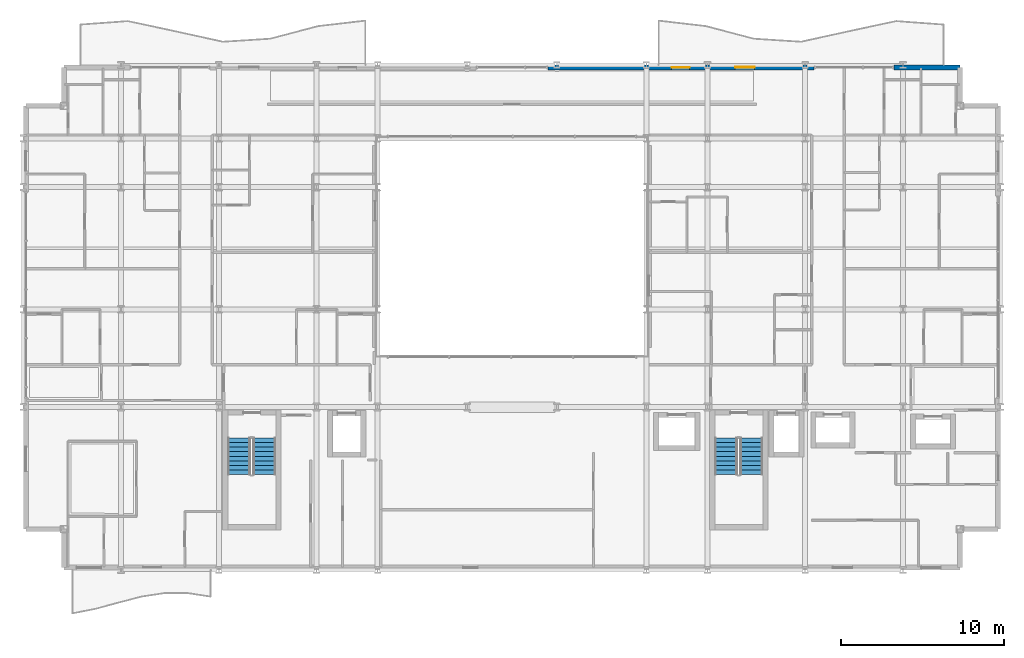
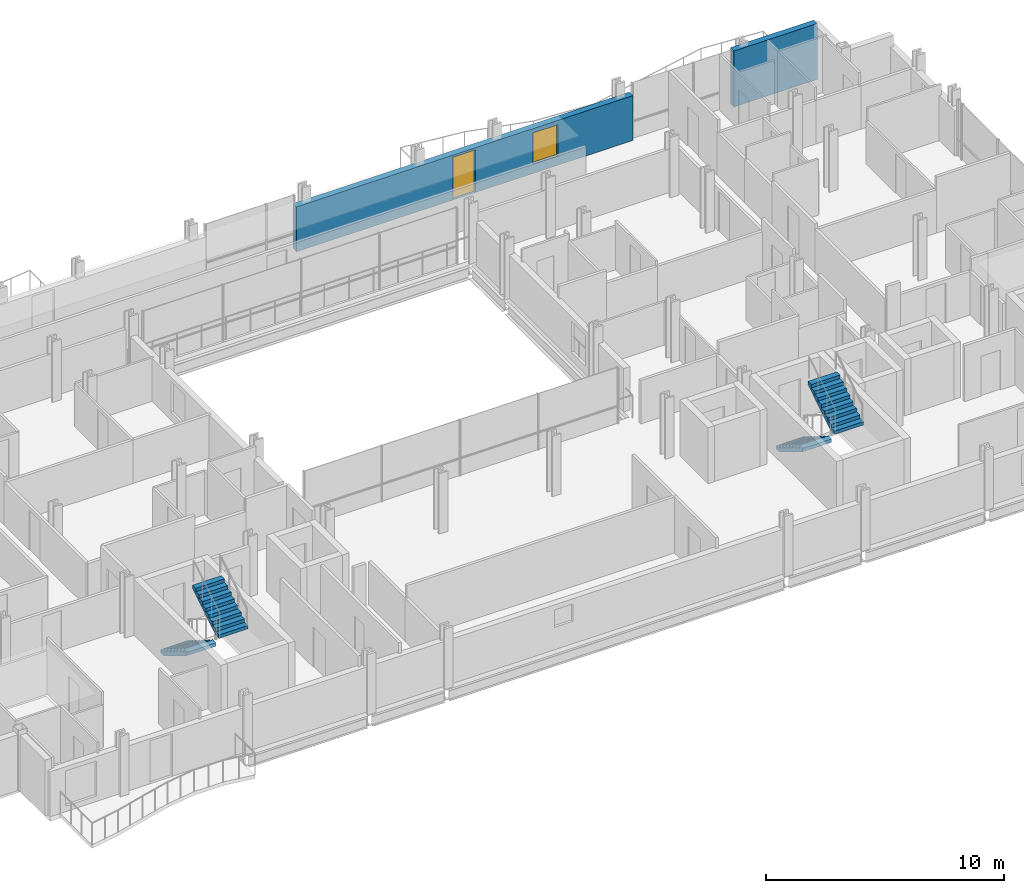
# One storey, part 37 of 41: 4 stair flights, 2 walls, 1 door, 1 window, 2 openings, 2 elements without a shape of their own.
"""IFC4 building model written with IfcOpenShell, lengths in metres."""

from ifc_helpers import new_model, si_unit, direction, frame, frame_2d, origin, place, context, subcontext, project, spatial, polyline, rectangle, outline, extrude, material, layer, layer_set, type_object, element, fill, aggregate, save


model = new_model("IFC4")

# Units and contexts
model_context = context("Model", 3, precision=1e-05, world=origin(), true_north=direction((0.0, 1.0)))
body_context = subcontext(model_context, "Body", "Model", "MODEL_VIEW")
ifc_project = project(units=[si_unit("LENGTHUNIT", "METRE"), si_unit("AREAUNIT", "SQUARE_METRE"), si_unit("VOLUMEUNIT", "CUBIC_METRE"), si_unit("PLANEANGLEUNIT", "RADIAN"), si_unit("MASSUNIT", "GRAM", prefix="KILO")], contexts=[model_context])

# Site, building, storey
site_placement = place(None, origin())
site = spatial("IfcSite", under=ifc_project, at=site_placement, CompositionType="ELEMENT")
building_placement = place(site_placement, origin())
building = spatial("IfcBuilding", under=site, at=building_placement, Name="Brevholm Reach", CompositionType="ELEMENT")
storey_placement = place(building_placement, frame((0.0, 0.0, 49.699951171875)))
storey = spatial("IfcBuildingStorey", under=building, at=storey_placement, Name="L13", CompositionType="ELEMENT", Elevation=49.699951171875)

# Wall
ifc_material_1 = material(Name="Concrete C40/50", Category="concrete")
ifc_layer_1 = layer(ifc_material_1, 0.300048828125)
ifc_layer_set_1 = layer_set([ifc_layer_1], Name="Concrete C40/50")
wall_type = type_object("IfcWallType", Name="WAL-EXT-300", PredefinedType="STANDARD", material=ifc_layer_set_1)
wall_1_placement = place(storey_placement, frame((53.449951171875, 30.85009765625, 0.0), z_axis=(0.0, 0.0, 1.0), x_axis=(1.0, 0.0, 0.0)))
element("IfcWall", 1, at=wall_1_placement, inside=storey, type_object=wall_type, Name="L13 Facade Wall WAL-L13-NP-E0", PredefinedType="STANDARD", context=body_context, shape_type="SweptSolid", body=[
    extrude(rectangle(XDim=4.050048828125, YDim=0.300048828125, at=frame_2d((2.02490234375, 0.0))), origin(), (0.0, 0.0, 1.0), 2.8701171875),
])

# Wall, openings, door, window
wall_2_placement = place(storey_placement, frame((32.199951171875, 30.85009765625, 0.0), z_axis=(0.0, 0.0, 1.0), x_axis=(1.0, 0.0, 0.0)))
wall_2 = element("IfcWall", 2, at=wall_2_placement, inside=storey, type_object=wall_type, Name="L13 Facade Wall WAL-L13-NP-ER", PredefinedType="STANDARD", context=body_context, shape_type="SweptSolid", body=[
    extrude(rectangle(XDim=16.35009765625, YDim=0.300048828125, at=frame_2d((8.175048828125, 0.0))), origin(), (0.0, 0.0, 1.0), 2.3056640625),
])
opening_1_placement = place(wall_2_placement, frame((7.60009765625, 0.0, 0.0)))
opening_1 = element("IfcOpeningElement", 3, at=opening_1_placement, cuts=wall_2, Name="Opening BD-01", PredefinedType="OPENING", context=body_context, shape_type="SweptSolid", body=[
    extrude(rectangle(XDim=1.10009765625, YDim=2.199951171875, at=frame_2d((0.550048828125, 1.10009765625))), frame((0.0, 0.159912109375, 0.0), z_axis=(0.0, -1.0, 0.0), x_axis=(1.0, 0.0, 0.0)), (0.0, 0.0, 1.0), 0.320068359375),
])
opening_2_placement = place(wall_2_placement, frame((11.5, 0.0, 0.485107421875)))
opening_2 = element("IfcOpeningElement", 4, at=opening_2_placement, cuts=wall_2, Name="Opening WN-08", PredefinedType="OPENING", context=body_context, shape_type="SweptSolid", body=[
    extrude(rectangle(XDim=1.199951171875, YDim=1.60009765625, at=frame_2d((0.60009765625, 0.800048828125))), frame((0.0, 0.159912109375, 0.0), z_axis=(0.0, -1.0, 0.0), x_axis=(1.0, 0.0, 0.0)), (0.0, 0.0, 1.0), 0.320068359375),
])
ifc_material_2 = material(Name="Dark Anodised Aluminium and Triple-Glazed Glass", Category="aluminium")
door_type = type_object("IfcDoorType", Name="DOR-BALC-1100", OperationType="NOTDEFINED", PredefinedType="DOOR", material=ifc_material_2)
door_placement = place(opening_1_placement, origin())
door = element("IfcDoor", 5, at=door_placement, inside=storey, type_object=door_type, Name="L13 Exterior Door DOR-L13-BL-NE", OperationType="SINGLE_SWING_LEFT", OverallHeight=2.199951171875, OverallWidth=1.10009765625, PredefinedType="DOOR", context=body_context, shape_type="SweptSolid", body=[
    extrude(rectangle(XDim=1.10009765625, YDim=2.199951171875, at=frame_2d((0.550048828125, 1.10009765625))), frame((0.0, 0.02490234375, 0.0), z_axis=(0.0, -1.0, 0.0), x_axis=(1.0, 0.0, 0.0)), (0.0, 0.0, 1.0), 0.050048828125),
])
fill(opening_1, door)
ifc_material_3 = material(Name="Dark Anodised Aluminium and Solar-Control IGU Glass", Category="aluminium")
window_type = type_object("IfcWindowType", Name="WIN-RES-1200", PartitioningType="SINGLE_PANEL", PredefinedType="WINDOW", material=ifc_material_3)
window_placement = place(opening_2_placement, origin())
window = element("IfcWindow", 6, at=window_placement, inside=storey, type_object=window_type, Name="L13 Window WIN-L13-NP-ER1", OverallHeight=1.60009765625, OverallWidth=1.199951171875, PartitioningType="SINGLE_PANEL", PredefinedType="WINDOW", context=body_context, shape_type="SweptSolid", body=[
    extrude(rectangle(XDim=1.199951171875, YDim=1.60009765625, at=frame_2d((0.60009765625, 0.800048828125))), frame((0.0, 0.030029296875, 0.0), z_axis=(0.0, -1.0, 0.0), x_axis=(1.0, 0.0, 0.0)), (0.0, 0.0, 1.0), 0.06005859375),
])
fill(opening_2, window)

# Stair, stair flights
ifc_material_4 = material(Name="Precast Concrete C40/50", Category="concrete")
stair_type = type_object("IfcStairType", Name="STR-ESC-1400", PredefinedType="DOUBLE_RETURN_STAIR", material=ifc_material_4)
stair_1_placement = place(storey_placement, origin())
stair_1 = element("IfcStair", 7, at=stair_1_placement, inside=storey, type_object=stair_type, Name="L13 ST-1", PredefinedType="DOUBLE_RETURN_STAIR")
ifc_material_5 = material(Name="Precast Concrete C40/50", Category="concrete")
ifc_layer_2 = layer(ifc_material_5, 0.18505859375)
ifc_layer_set_2 = layer_set([ifc_layer_2], Name="Precast Concrete C40/50")
stair_flight_type = type_object("IfcStairFlightType", Name="STF-PRC-185", PredefinedType="STRAIGHT", material=ifc_layer_set_2)
stair_flight_1_placement = place(storey_placement, frame((13.25, 8.10009765625, 0.0), z_axis=(0.0, 0.0, 1.0), x_axis=(0.0, -1.0, 0.0)))
stair_flight_1 = element("IfcStairFlight", 8, at=stair_flight_1_placement, type_object=stair_flight_type, Name="ST-1 flight 1", NumberOfRisers=9, NumberOfTreads=8, PredefinedType="STRAIGHT", RiserHeight=0.172222222, TreadLength=0.28, context=body_context, shape_type="SweptSolid", body=[
    extrude(outline(polyline([(0.0, 0.0), (0.0, 0.172119140625), (0.280029296875, 0.172119140625), (0.280029296875, 0.344482421875), (0.56005859375, 0.344482421875), (0.56005859375, 0.5166015625), (0.840087890625, 0.5166015625), (0.840087890625, 0.68896484375), (1.1201171875, 0.68896484375), (1.1201171875, 0.861083984375), (1.39990234375, 0.861083984375), (1.39990234375, 1.033447265625), (1.679931640625, 1.033447265625), (1.679931640625, 1.20556640625), (1.9599609375, 1.20556640625), (1.9599609375, 1.377685546875), (2.239990234375, 1.377685546875), (2.239990234375, 1.550048828125), (2.239990234375, 1.201904296875), (0.2861328125, 0.0), (0.0, 0.0)])), frame((0.0, 0.699951171875, 0.0), z_axis=(0.0, -1.0, 0.0), x_axis=(1.0, 0.0, 0.0)), (0.0, 0.0, 1.0), 1.39990234375),
])
stair_flight_2_placement = place(storey_placement, frame((14.800048828125, 5.860107421875, 1.550048828125), z_axis=(0.0, 0.0, 1.0), x_axis=(0.0, 1.0, 0.0)))
stair_flight_2 = element("IfcStairFlight", 9, at=stair_flight_2_placement, type_object=stair_flight_type, Name="ST-1 flight 2", NumberOfRisers=9, NumberOfTreads=8, PredefinedType="STRAIGHT", RiserHeight=0.172222222, TreadLength=0.28, context=body_context, shape_type="SweptSolid", body=[
    extrude(outline(polyline([(0.0, 0.0), (0.0, 0.172119140625), (0.280029296875, 0.172119140625), (0.280029296875, 0.344482421875), (0.56005859375, 0.344482421875), (0.56005859375, 0.5166015625), (0.840087890625, 0.5166015625), (0.840087890625, 0.68896484375), (1.1201171875, 0.68896484375), (1.1201171875, 0.861083984375), (1.39990234375, 0.861083984375), (1.39990234375, 1.033447265625), (1.679931640625, 1.033447265625), (1.679931640625, 1.20556640625), (1.9599609375, 1.20556640625), (1.9599609375, 1.377685546875), (2.239990234375, 1.377685546875), (2.239990234375, 1.550048828125), (2.239990234375, 1.201904296875), (0.2861328125, 0.0), (0.0, 0.0)])), frame((0.0, 0.699951171875, 0.0), z_axis=(0.0, -1.0, 0.0), x_axis=(1.0, 0.0, 0.0)), (0.0, 0.0, 1.0), 1.39990234375),
])
aggregate(stair_1, [stair_flight_1, stair_flight_2])

stair_2_placement = place(storey_placement, origin())
stair_2 = element("IfcStair", 10, at=stair_2_placement, inside=storey, type_object=stair_type, Name="L13 ST-2", PredefinedType="DOUBLE_RETURN_STAIR")
stair_flight_3_placement = place(storey_placement, frame((43.14990234375, 8.10009765625, 0.0), z_axis=(0.0, 0.0, 1.0), x_axis=(0.0, -1.0, 0.0)))
stair_flight_3 = element("IfcStairFlight", 11, at=stair_flight_3_placement, type_object=stair_flight_type, Name="ST-2 flight 1", NumberOfRisers=9, NumberOfTreads=8, PredefinedType="STRAIGHT", RiserHeight=0.172222222, TreadLength=0.28, context=body_context, shape_type="SweptSolid", body=[
    extrude(outline(polyline([(0.0, 0.0), (0.0, 0.172119140625), (0.280029296875, 0.172119140625), (0.280029296875, 0.344482421875), (0.56005859375, 0.344482421875), (0.56005859375, 0.5166015625), (0.840087890625, 0.5166015625), (0.840087890625, 0.68896484375), (1.1201171875, 0.68896484375), (1.1201171875, 0.861083984375), (1.39990234375, 0.861083984375), (1.39990234375, 1.033447265625), (1.679931640625, 1.033447265625), (1.679931640625, 1.20556640625), (1.9599609375, 1.20556640625), (1.9599609375, 1.377685546875), (2.239990234375, 1.377685546875), (2.239990234375, 1.550048828125), (2.239990234375, 1.201904296875), (0.2861328125, 0.0), (0.0, 0.0)])), frame((0.0, 0.699951171875, 0.0), z_axis=(0.0, -1.0, 0.0), x_axis=(1.0, 0.0, 0.0)), (0.0, 0.0, 1.0), 1.39990234375),
])
stair_flight_4_placement = place(storey_placement, frame((44.699951171875, 5.860107421875, 1.550048828125), z_axis=(0.0, 0.0, 1.0), x_axis=(0.0, 1.0, 0.0)))
stair_flight_4 = element("IfcStairFlight", 12, at=stair_flight_4_placement, type_object=stair_flight_type, Name="ST-2 flight 2", NumberOfRisers=9, NumberOfTreads=8, PredefinedType="STRAIGHT", RiserHeight=0.172222222, TreadLength=0.28, context=body_context, shape_type="SweptSolid", body=[
    extrude(outline(polyline([(0.0, 0.0), (0.0, 0.172119140625), (0.280029296875, 0.172119140625), (0.280029296875, 0.344482421875), (0.56005859375, 0.344482421875), (0.56005859375, 0.5166015625), (0.840087890625, 0.5166015625), (0.840087890625, 0.68896484375), (1.1201171875, 0.68896484375), (1.1201171875, 0.861083984375), (1.39990234375, 0.861083984375), (1.39990234375, 1.033447265625), (1.679931640625, 1.033447265625), (1.679931640625, 1.20556640625), (1.9599609375, 1.20556640625), (1.9599609375, 1.377685546875), (2.239990234375, 1.377685546875), (2.239990234375, 1.550048828125), (2.239990234375, 1.201904296875), (0.2861328125, 0.0), (0.0, 0.0)])), frame((0.0, 0.699951171875, 0.0), z_axis=(0.0, -1.0, 0.0), x_axis=(1.0, 0.0, 0.0)), (0.0, 0.0, 1.0), 1.39990234375),
])
aggregate(stair_2, [stair_flight_3, stair_flight_4])

save(model, "model.ifc")
